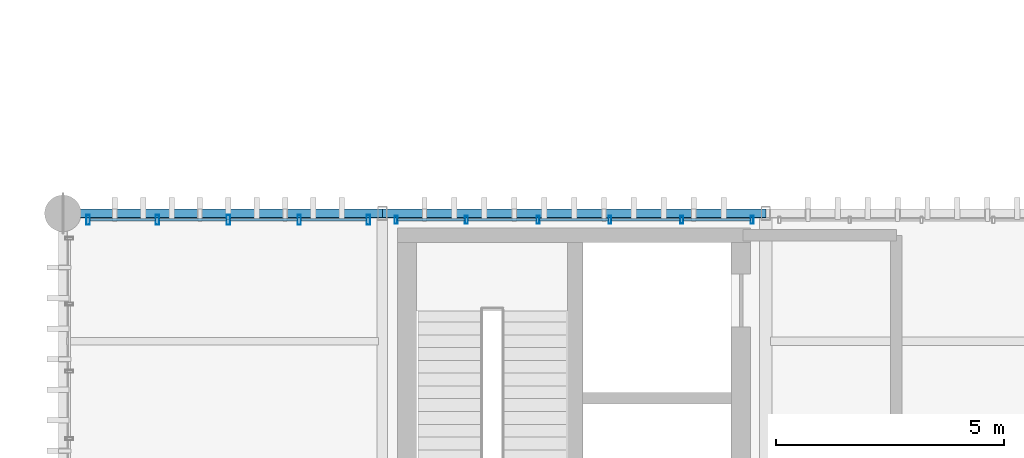
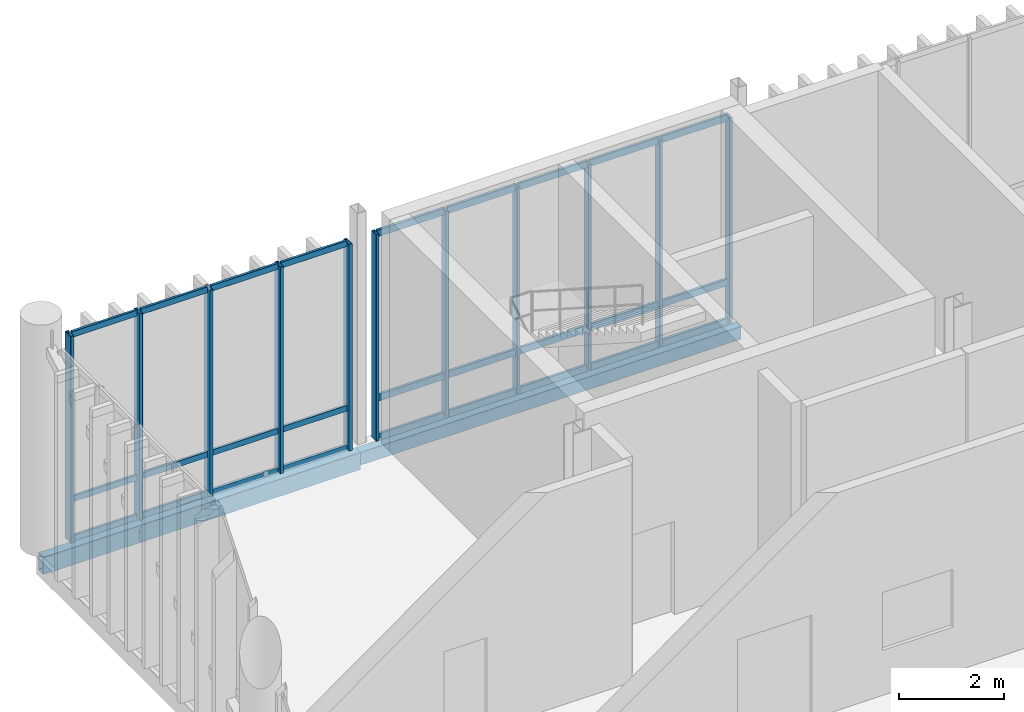
# One storey, part 32 of 128: 38 members, 2 beams, 2 elements without a shape of their own.
"""IFC4 building model written with IfcOpenShell, lengths in metres."""

from ifc_helpers import new_model, si_unit, direction, frame, origin_with_axes, origin_2d_with_axis, place, context, subcontext, project, spatial, hollow_rectangle, extrude, material, material_profile, profile_set, type_object, element, aggregate, save


model = new_model("IFC4")

# Units and contexts
model_context = context("Model", 3, precision=1e-05, world=origin_with_axes(), true_north=direction((0.0, 1.0)))
body_context = subcontext(model_context, "Body", "Model", "MODEL_VIEW")
ifc_project = project(units=[si_unit("LENGTHUNIT", "METRE"), si_unit("AREAUNIT", "SQUARE_METRE"), si_unit("VOLUMEUNIT", "CUBIC_METRE"), si_unit("PLANEANGLEUNIT", "RADIAN"), si_unit("MASSUNIT", "GRAM", prefix="KILO"), si_unit("THERMODYNAMICTEMPERATUREUNIT", "KELVIN")], contexts=[model_context])

# Site, building, storey
site_placement = place(None, origin_with_axes())
site = spatial("IfcSite", under=ifc_project, at=site_placement, CompositionType="ELEMENT")
building_placement = place(site_placement, origin_with_axes())
building = spatial("IfcBuilding", under=site, at=building_placement, Name="Montbau Bow Law Courts", CompositionType="ELEMENT")
storey_placement = place(building_placement, frame((0.0, 0.0, 5.4), z_axis=(0.0, 0.0, 1.0), x_axis=(1.0, 0.0, 0.0)))
storey = spatial("IfcBuildingStorey", under=building, at=storey_placement, Name="L01", CompositionType="ELEMENT", Elevation=5.4)

# Beams
ifc_material_1 = material(Name="Steel CSA G40.21 Grade 350WT (350 MPa)", Category="steel")
ifc_material_profile_1 = material_profile(ifc_material_1, hollow_rectangle(XDim=0.203, YDim=0.406, WallThickness=0.0127, InnerFilletRadius=0.0254, OuterFilletRadius=0.0127, at=origin_2d_with_axis()), Name="HSS406X203X13", Category="Main", Priority=0)
ifc_profile_set_1 = profile_set([ifc_material_profile_1], Name="Steel CSA G40.21 Grade 350WT (350 MPa)")
beam_type_1 = type_object("IfcBeamType", Name="B-SPN-01", PredefinedType="SPANDREL", material=ifc_profile_set_1)
beam_1_placement = place(None, frame((6.8, 54.6, 4.957), z_axis=(1.0, 0.0, 0.0), x_axis=(0.0, 1.0, 0.0)))
element("IfcBeam", 1, at=beam_1_placement, inside=storey, type_object=beam_type_1, Name="SPN-L01-S0529:bm2_0532", PredefinedType="SPANDREL", context=body_context, shape_type="SweptSolid", body=[
    extrude(hollow_rectangle(XDim=0.203, YDim=0.406, WallThickness=0.0127, InnerFilletRadius=0.0254, OuterFilletRadius=0.0127, at=origin_2d_with_axis()), origin_with_axes(), (0.0, 0.0, 1.0), 7.0),
])
ifc_material_profile_2 = material_profile(ifc_material_1, hollow_rectangle(XDim=0.203, YDim=0.305, WallThickness=0.0127, InnerFilletRadius=0.0254, OuterFilletRadius=0.0127, at=origin_2d_with_axis()), Name="HSS305X203X13", Category="Main", Priority=0)
ifc_profile_set_2 = profile_set([ifc_material_profile_2], Name="Steel CSA G40.21 Grade 350WT (350 MPa)")
beam_type_2 = type_object("IfcBeamType", Name="B-SPN-02", PredefinedType="SPANDREL", material=ifc_profile_set_2)
beam_2_placement = place(None, frame((13.8, 54.6, 5.008), z_axis=(1.0, 0.0, 0.0), x_axis=(0.0, 1.0, 0.0)))
element("IfcBeam", 2, at=beam_2_placement, inside=storey, type_object=beam_type_2, Name="SPN-L01-S0530:bm2_0533", PredefinedType="SPANDREL", context=body_context, shape_type="SweptSolid", body=[
    extrude(hollow_rectangle(XDim=0.203, YDim=0.305, WallThickness=0.0127, InnerFilletRadius=0.0254, OuterFilletRadius=0.0127, at=origin_2d_with_axis()), origin_with_axes(), (0.0, 0.0, 1.0), 8.4),
])

# Curtain wall, members
ifc_material_2 = material(Name="Thermally Broken Extruded Aluminium AA 6063-T6", Category="aluminium")
curtain_wall_type = type_object("IfcCurtainWallType", Name="CW-TRC-01", PredefinedType="NOTDEFINED", material=ifc_material_2)
curtain_wall_1_placement = place(None, frame((7.315, 54.46, 5.4), z_axis=(0.0, 0.0, 1.0), x_axis=(1.0, 0.0, 0.0)))
curtain_wall_1 = element("IfcCurtainWall", 3, at=curtain_wall_1_placement, inside=storey, type_object=curtain_wall_type, Name="CW-L01-021:cw_0021", PredefinedType="NOTDEFINED")
ifc_material_profile_3 = material_profile(ifc_material_2, hollow_rectangle(XDim=0.075, YDim=0.22, WallThickness=0.005, InnerFilletRadius=0.01, OuterFilletRadius=0.005, at=origin_2d_with_axis()), Name="CWM-220X75", Category="Main", Priority=0)
ifc_profile_set_3 = profile_set([ifc_material_profile_3], Name="Thermally Broken Extruded Aluminium AA 6063-T6")
member_type_1 = type_object("IfcMemberType", Name="M-MUL-01", PredefinedType="MULLION", material=ifc_profile_set_3)
member_1_placement = place(None, frame((7.352, 54.46, 5.4), z_axis=(0.0, 0.0, 1.0), x_axis=(1.0, 0.0, 0.0)))
member_1 = element("IfcMember", 4, at=member_1_placement, type_object=member_type_1, Name="CW-L01-021-M01:cw_0021_M01", PredefinedType="MULLION", context=body_context, shape_type="SweptSolid", body=[
    extrude(hollow_rectangle(XDim=0.075, YDim=0.22, WallThickness=0.005, InnerFilletRadius=0.01, OuterFilletRadius=0.005, at=origin_2d_with_axis()), origin_with_axes(), (0.0, 0.0, 1.0), 4.82),
])
member_2_placement = place(None, frame((8.869, 54.46, 5.4), z_axis=(0.0, 0.0, 1.0), x_axis=(1.0, 0.0, 0.0)))
member_2 = element("IfcMember", 5, at=member_2_placement, type_object=member_type_1, Name="CW-L01-021-M02:cw_0021_M02", PredefinedType="MULLION", context=body_context, shape_type="SweptSolid", body=[
    extrude(hollow_rectangle(XDim=0.075, YDim=0.22, WallThickness=0.005, InnerFilletRadius=0.01, OuterFilletRadius=0.005, at=origin_2d_with_axis()), origin_with_axes(), (0.0, 0.0, 1.0), 4.82),
])
member_3_placement = place(None, frame((10.424, 54.46, 5.4), z_axis=(0.0, 0.0, 1.0), x_axis=(1.0, 0.0, 0.0)))
member_3 = element("IfcMember", 6, at=member_3_placement, type_object=member_type_1, Name="CW-L01-021-M03:cw_0021_M03", PredefinedType="MULLION", context=body_context, shape_type="SweptSolid", body=[
    extrude(hollow_rectangle(XDim=0.075, YDim=0.22, WallThickness=0.005, InnerFilletRadius=0.01, OuterFilletRadius=0.005, at=origin_2d_with_axis()), origin_with_axes(), (0.0, 0.0, 1.0), 4.82),
])
member_4_placement = place(None, frame((11.978, 54.46, 5.4), z_axis=(0.0, 0.0, 1.0), x_axis=(1.0, 0.0, 0.0)))
member_4 = element("IfcMember", 7, at=member_4_placement, type_object=member_type_1, Name="CW-L01-021-M04:cw_0021_M04", PredefinedType="MULLION", context=body_context, shape_type="SweptSolid", body=[
    extrude(hollow_rectangle(XDim=0.075, YDim=0.22, WallThickness=0.005, InnerFilletRadius=0.01, OuterFilletRadius=0.005, at=origin_2d_with_axis()), origin_with_axes(), (0.0, 0.0, 1.0), 4.82),
])
member_5_placement = place(None, frame((13.495, 54.46, 5.4), z_axis=(0.0, 0.0, 1.0), x_axis=(1.0, 0.0, 0.0)))
member_5 = element("IfcMember", 8, at=member_5_placement, type_object=member_type_1, Name="CW-L01-021-M05:cw_0021_M05", PredefinedType="MULLION", context=body_context, shape_type="SweptSolid", body=[
    extrude(hollow_rectangle(XDim=0.075, YDim=0.22, WallThickness=0.005, InnerFilletRadius=0.01, OuterFilletRadius=0.005, at=origin_2d_with_axis()), origin_with_axes(), (0.0, 0.0, 1.0), 4.82),
])

curtain_wall_2_placement = place(None, frame((14.068, 54.46, 5.4), z_axis=(0.0, 0.0, 1.0), x_axis=(1.0, 0.0, 0.0)))
curtain_wall_2 = element("IfcCurtainWall", 9, at=curtain_wall_2_placement, inside=storey, type_object=curtain_wall_type, Name="CW-L01-022:cw_0022", PredefinedType="NOTDEFINED")
ifc_material_profile_4 = material_profile(ifc_material_2, hollow_rectangle(XDim=0.065, YDim=0.18, WallThickness=0.005, InnerFilletRadius=0.01, OuterFilletRadius=0.005, at=origin_2d_with_axis()), Name="CWM-180X65", Category="Main", Priority=0)
ifc_profile_set_4 = profile_set([ifc_material_profile_4], Name="Thermally Broken Extruded Aluminium AA 6063-T6")
member_type_2 = type_object("IfcMemberType", Name="M-MUL-02", PredefinedType="MULLION", material=ifc_profile_set_4)
member_6_placement = place(None, frame((14.101, 54.46, 5.4), z_axis=(0.0, 0.0, 1.0), x_axis=(1.0, 0.0, 0.0)))
member_6 = element("IfcMember", 10, at=member_6_placement, type_object=member_type_2, Name="CW-L01-022-M01:cw_0022_M01", PredefinedType="MULLION", context=body_context, shape_type="SweptSolid", body=[
    extrude(hollow_rectangle(XDim=0.065, YDim=0.18, WallThickness=0.005, InnerFilletRadius=0.01, OuterFilletRadius=0.005, at=origin_2d_with_axis()), origin_with_axes(), (0.0, 0.0, 1.0), 4.82),
])
member_7_placement = place(None, frame((15.641, 54.46, 5.4), z_axis=(0.0, 0.0, 1.0), x_axis=(1.0, 0.0, 0.0)))
member_7 = element("IfcMember", 11, at=member_7_placement, type_object=member_type_2, Name="CW-L01-022-M02:cw_0022_M02", PredefinedType="MULLION", context=body_context, shape_type="SweptSolid", body=[
    extrude(hollow_rectangle(XDim=0.065, YDim=0.18, WallThickness=0.005, InnerFilletRadius=0.01, OuterFilletRadius=0.005, at=origin_2d_with_axis()), origin_with_axes(), (0.0, 0.0, 1.0), 4.82),
])
member_8_placement = place(None, frame((17.214, 54.46, 5.4), z_axis=(0.0, 0.0, 1.0), x_axis=(1.0, 0.0, 0.0)))
member_8 = element("IfcMember", 12, at=member_8_placement, type_object=member_type_2, Name="CW-L01-022-M03:cw_0022_M03", PredefinedType="MULLION", context=body_context, shape_type="SweptSolid", body=[
    extrude(hollow_rectangle(XDim=0.065, YDim=0.18, WallThickness=0.005, InnerFilletRadius=0.01, OuterFilletRadius=0.005, at=origin_2d_with_axis()), origin_with_axes(), (0.0, 0.0, 1.0), 4.82),
])
member_9_placement = place(None, frame((18.787, 54.46, 5.4), z_axis=(0.0, 0.0, 1.0), x_axis=(1.0, 0.0, 0.0)))
member_9 = element("IfcMember", 13, at=member_9_placement, type_object=member_type_2, Name="CW-L01-022-M04:cw_0022_M04", PredefinedType="MULLION", context=body_context, shape_type="SweptSolid", body=[
    extrude(hollow_rectangle(XDim=0.065, YDim=0.18, WallThickness=0.005, InnerFilletRadius=0.01, OuterFilletRadius=0.005, at=origin_2d_with_axis()), origin_with_axes(), (0.0, 0.0, 1.0), 4.82),
])
member_10_placement = place(None, frame((20.36, 54.46, 5.4), z_axis=(0.0, 0.0, 1.0), x_axis=(1.0, 0.0, 0.0)))
member_10 = element("IfcMember", 14, at=member_10_placement, type_object=member_type_2, Name="CW-L01-022-M05:cw_0022_M05", PredefinedType="MULLION", context=body_context, shape_type="SweptSolid", body=[
    extrude(hollow_rectangle(XDim=0.065, YDim=0.18, WallThickness=0.005, InnerFilletRadius=0.01, OuterFilletRadius=0.005, at=origin_2d_with_axis()), origin_with_axes(), (0.0, 0.0, 1.0), 4.82),
])
member_11_placement = place(None, frame((21.901, 54.46, 5.4), z_axis=(0.0, 0.0, 1.0), x_axis=(1.0, 0.0, 0.0)))
member_11 = element("IfcMember", 15, at=member_11_placement, type_object=member_type_2, Name="CW-L01-022-M06:cw_0022_M06", PredefinedType="MULLION", context=body_context, shape_type="SweptSolid", body=[
    extrude(hollow_rectangle(XDim=0.065, YDim=0.18, WallThickness=0.005, InnerFilletRadius=0.01, OuterFilletRadius=0.005, at=origin_2d_with_axis()), origin_with_axes(), (0.0, 0.0, 1.0), 4.82),
])
ifc_material_profile_5 = material_profile(ifc_material_2, hollow_rectangle(XDim=0.06, YDim=0.16, WallThickness=0.004, InnerFilletRadius=0.008, OuterFilletRadius=0.004, at=origin_2d_with_axis()), Name="CWT-160X60", Category="Main", Priority=0)
ifc_profile_set_5 = profile_set([ifc_material_profile_5], Name="Thermally Broken Extruded Aluminium AA 6063-T6")
member_type_3 = type_object("IfcMemberType", Name="M-TRN-01", PredefinedType="USERDEFINED", material=ifc_profile_set_5)
member_12_placement = place(None, frame((14.136, 54.46, 5.43), z_axis=(1.0, 0.0, 0.0), x_axis=(0.0, 1.0, 0.0)))
member_12 = element("IfcMember", 16, at=member_12_placement, type_object=member_type_3, Name="CW-L01-022-T01-1:cw_0022_T01_1", ObjectType="TRANSOM", PredefinedType="USERDEFINED", context=body_context, shape_type="SweptSolid", body=[
    extrude(hollow_rectangle(XDim=0.06, YDim=0.16, WallThickness=0.004, InnerFilletRadius=0.008, OuterFilletRadius=0.004, at=origin_2d_with_axis()), origin_with_axes(), (0.0, 0.0, 1.0), 1.47),
])
member_13_placement = place(None, frame((14.136, 54.46, 6.35), z_axis=(1.0, 0.0, 0.0), x_axis=(0.0, 1.0, 0.0)))
member_13 = element("IfcMember", 17, at=member_13_placement, type_object=member_type_3, Name="CW-L01-022-T01-2:cw_0022_T01_2", ObjectType="TRANSOM", PredefinedType="USERDEFINED", context=body_context, shape_type="SweptSolid", body=[
    extrude(hollow_rectangle(XDim=0.06, YDim=0.16, WallThickness=0.004, InnerFilletRadius=0.008, OuterFilletRadius=0.004, at=origin_2d_with_axis()), origin_with_axes(), (0.0, 0.0, 1.0), 1.47),
])
member_14_placement = place(None, frame((14.136, 54.46, 10.19), z_axis=(1.0, 0.0, 0.0), x_axis=(0.0, 1.0, 0.0)))
member_14 = element("IfcMember", 18, at=member_14_placement, type_object=member_type_3, Name="CW-L01-022-T01-3:cw_0022_T01_3", ObjectType="TRANSOM", PredefinedType="USERDEFINED", context=body_context, shape_type="SweptSolid", body=[
    extrude(hollow_rectangle(XDim=0.06, YDim=0.16, WallThickness=0.004, InnerFilletRadius=0.008, OuterFilletRadius=0.004, at=origin_2d_with_axis()), origin_with_axes(), (0.0, 0.0, 1.0), 1.47),
])
member_15_placement = place(None, frame((15.675, 54.46, 5.43), z_axis=(1.0, 0.0, 0.0), x_axis=(0.0, 1.0, 0.0)))
member_15 = element("IfcMember", 19, at=member_15_placement, type_object=member_type_3, Name="CW-L01-022-T02-1:cw_0022_T02_1", ObjectType="TRANSOM", PredefinedType="USERDEFINED", context=body_context, shape_type="SweptSolid", body=[
    extrude(hollow_rectangle(XDim=0.06, YDim=0.16, WallThickness=0.004, InnerFilletRadius=0.008, OuterFilletRadius=0.004, at=origin_2d_with_axis()), origin_with_axes(), (0.0, 0.0, 1.0), 1.504),
])
member_16_placement = place(None, frame((15.675, 54.46, 6.35), z_axis=(1.0, 0.0, 0.0), x_axis=(0.0, 1.0, 0.0)))
member_16 = element("IfcMember", 20, at=member_16_placement, type_object=member_type_3, Name="CW-L01-022-T02-2:cw_0022_T02_2", ObjectType="TRANSOM", PredefinedType="USERDEFINED", context=body_context, shape_type="SweptSolid", body=[
    extrude(hollow_rectangle(XDim=0.06, YDim=0.16, WallThickness=0.004, InnerFilletRadius=0.008, OuterFilletRadius=0.004, at=origin_2d_with_axis()), origin_with_axes(), (0.0, 0.0, 1.0), 1.504),
])
member_17_placement = place(None, frame((15.675, 54.46, 10.19), z_axis=(1.0, 0.0, 0.0), x_axis=(0.0, 1.0, 0.0)))
member_17 = element("IfcMember", 21, at=member_17_placement, type_object=member_type_3, Name="CW-L01-022-T02-3:cw_0022_T02_3", ObjectType="TRANSOM", PredefinedType="USERDEFINED", context=body_context, shape_type="SweptSolid", body=[
    extrude(hollow_rectangle(XDim=0.06, YDim=0.16, WallThickness=0.004, InnerFilletRadius=0.008, OuterFilletRadius=0.004, at=origin_2d_with_axis()), origin_with_axes(), (0.0, 0.0, 1.0), 1.504),
])
member_18_placement = place(None, frame((17.248, 54.46, 5.43), z_axis=(1.0, 0.0, 0.0), x_axis=(0.0, 1.0, 0.0)))
member_18 = element("IfcMember", 22, at=member_18_placement, type_object=member_type_3, Name="CW-L01-022-T03-1:cw_0022_T03_1", ObjectType="TRANSOM", PredefinedType="USERDEFINED", context=body_context, shape_type="SweptSolid", body=[
    extrude(hollow_rectangle(XDim=0.06, YDim=0.16, WallThickness=0.004, InnerFilletRadius=0.008, OuterFilletRadius=0.004, at=origin_2d_with_axis()), origin_with_axes(), (0.0, 0.0, 1.0), 1.505),
])
member_19_placement = place(None, frame((17.248, 54.46, 6.35), z_axis=(1.0, 0.0, 0.0), x_axis=(0.0, 1.0, 0.0)))
member_19 = element("IfcMember", 23, at=member_19_placement, type_object=member_type_3, Name="CW-L01-022-T03-2:cw_0022_T03_2", ObjectType="TRANSOM", PredefinedType="USERDEFINED", context=body_context, shape_type="SweptSolid", body=[
    extrude(hollow_rectangle(XDim=0.06, YDim=0.16, WallThickness=0.004, InnerFilletRadius=0.008, OuterFilletRadius=0.004, at=origin_2d_with_axis()), origin_with_axes(), (0.0, 0.0, 1.0), 1.505),
])
member_20_placement = place(None, frame((17.248, 54.46, 10.19), z_axis=(1.0, 0.0, 0.0), x_axis=(0.0, 1.0, 0.0)))
member_20 = element("IfcMember", 24, at=member_20_placement, type_object=member_type_3, Name="CW-L01-022-T03-3:cw_0022_T03_3", ObjectType="TRANSOM", PredefinedType="USERDEFINED", context=body_context, shape_type="SweptSolid", body=[
    extrude(hollow_rectangle(XDim=0.06, YDim=0.16, WallThickness=0.004, InnerFilletRadius=0.008, OuterFilletRadius=0.004, at=origin_2d_with_axis()), origin_with_axes(), (0.0, 0.0, 1.0), 1.505),
])
member_21_placement = place(None, frame((18.821, 54.46, 5.43), z_axis=(1.0, 0.0, 0.0), x_axis=(0.0, 1.0, 0.0)))
member_21 = element("IfcMember", 25, at=member_21_placement, type_object=member_type_3, Name="CW-L01-022-T04-1:cw_0022_T04_1", ObjectType="TRANSOM", PredefinedType="USERDEFINED", context=body_context, shape_type="SweptSolid", body=[
    extrude(hollow_rectangle(XDim=0.06, YDim=0.16, WallThickness=0.004, InnerFilletRadius=0.008, OuterFilletRadius=0.004, at=origin_2d_with_axis()), origin_with_axes(), (0.0, 0.0, 1.0), 1.505),
])
member_22_placement = place(None, frame((18.821, 54.46, 6.35), z_axis=(1.0, 0.0, 0.0), x_axis=(0.0, 1.0, 0.0)))
member_22 = element("IfcMember", 26, at=member_22_placement, type_object=member_type_3, Name="CW-L01-022-T04-2:cw_0022_T04_2", ObjectType="TRANSOM", PredefinedType="USERDEFINED", context=body_context, shape_type="SweptSolid", body=[
    extrude(hollow_rectangle(XDim=0.06, YDim=0.16, WallThickness=0.004, InnerFilletRadius=0.008, OuterFilletRadius=0.004, at=origin_2d_with_axis()), origin_with_axes(), (0.0, 0.0, 1.0), 1.505),
])
member_23_placement = place(None, frame((18.821, 54.46, 10.19), z_axis=(1.0, 0.0, 0.0), x_axis=(0.0, 1.0, 0.0)))
member_23 = element("IfcMember", 27, at=member_23_placement, type_object=member_type_3, Name="CW-L01-022-T04-3:cw_0022_T04_3", ObjectType="TRANSOM", PredefinedType="USERDEFINED", context=body_context, shape_type="SweptSolid", body=[
    extrude(hollow_rectangle(XDim=0.06, YDim=0.16, WallThickness=0.004, InnerFilletRadius=0.008, OuterFilletRadius=0.004, at=origin_2d_with_axis()), origin_with_axes(), (0.0, 0.0, 1.0), 1.505),
])
member_24_placement = place(None, frame((20.394, 54.46, 5.43), z_axis=(1.0, 0.0, 0.0), x_axis=(0.0, 1.0, 0.0)))
member_24 = element("IfcMember", 28, at=member_24_placement, type_object=member_type_3, Name="CW-L01-022-T05-1:cw_0022_T05_1", ObjectType="TRANSOM", PredefinedType="USERDEFINED", context=body_context, shape_type="SweptSolid", body=[
    extrude(hollow_rectangle(XDim=0.06, YDim=0.16, WallThickness=0.004, InnerFilletRadius=0.008, OuterFilletRadius=0.004, at=origin_2d_with_axis()), origin_with_axes(), (0.0, 0.0, 1.0), 1.473),
])
member_25_placement = place(None, frame((20.394, 54.46, 6.35), z_axis=(1.0, 0.0, 0.0), x_axis=(0.0, 1.0, 0.0)))
member_25 = element("IfcMember", 29, at=member_25_placement, type_object=member_type_3, Name="CW-L01-022-T05-2:cw_0022_T05_2", ObjectType="TRANSOM", PredefinedType="USERDEFINED", context=body_context, shape_type="SweptSolid", body=[
    extrude(hollow_rectangle(XDim=0.06, YDim=0.16, WallThickness=0.004, InnerFilletRadius=0.008, OuterFilletRadius=0.004, at=origin_2d_with_axis()), origin_with_axes(), (0.0, 0.0, 1.0), 1.473),
])
member_26_placement = place(None, frame((20.394, 54.46, 10.19), z_axis=(1.0, 0.0, 0.0), x_axis=(0.0, 1.0, 0.0)))
member_26 = element("IfcMember", 30, at=member_26_placement, type_object=member_type_3, Name="CW-L01-022-T05-3:cw_0022_T05_3", ObjectType="TRANSOM", PredefinedType="USERDEFINED", context=body_context, shape_type="SweptSolid", body=[
    extrude(hollow_rectangle(XDim=0.06, YDim=0.16, WallThickness=0.004, InnerFilletRadius=0.008, OuterFilletRadius=0.004, at=origin_2d_with_axis()), origin_with_axes(), (0.0, 0.0, 1.0), 1.473),
])
aggregate(curtain_wall_2, [member_6, member_7, member_8, member_9, member_10, member_11, member_12, member_13, member_14, member_15, member_16, member_17, member_18, member_19, member_20, member_21, member_22, member_23, member_24, member_25, member_26])

# Member
ifc_material_profile_6 = material_profile(ifc_material_2, hollow_rectangle(XDim=0.055, YDim=0.14, WallThickness=0.004, InnerFilletRadius=0.008, OuterFilletRadius=0.004, at=origin_2d_with_axis()), Name="CWT-140X55", Category="Main", Priority=0)
ifc_profile_set_6 = profile_set([ifc_material_profile_6], Name="Thermally Broken Extruded Aluminium AA 6063-T6")
member_type_4 = type_object("IfcMemberType", Name="M-TRN-02", PredefinedType="USERDEFINED", material=ifc_profile_set_6)
member_27_placement = place(None, frame((7.391, 54.46, 5.428), z_axis=(1.0, 0.0, 0.0), x_axis=(0.0, 1.0, 0.0)))
member_27 = element("IfcMember", 31, at=member_27_placement, type_object=member_type_4, Name="CW-L01-021-T01-1:cw_0021_T01_1", ObjectType="TRANSOM", PredefinedType="USERDEFINED", context=body_context, shape_type="SweptSolid", body=[
    extrude(hollow_rectangle(XDim=0.055, YDim=0.14, WallThickness=0.004, InnerFilletRadius=0.008, OuterFilletRadius=0.004, at=origin_2d_with_axis()), origin_with_axes(), (0.0, 0.0, 1.0), 1.438),
])

member_28_placement = place(None, frame((7.391, 54.46, 6.35), z_axis=(1.0, 0.0, 0.0), x_axis=(0.0, 1.0, 0.0)))
member_28 = element("IfcMember", 32, at=member_28_placement, type_object=member_type_4, Name="CW-L01-021-T01-2:cw_0021_T01_2", ObjectType="TRANSOM", PredefinedType="USERDEFINED", context=body_context, shape_type="SweptSolid", body=[
    extrude(hollow_rectangle(XDim=0.055, YDim=0.14, WallThickness=0.004, InnerFilletRadius=0.008, OuterFilletRadius=0.004, at=origin_2d_with_axis()), origin_with_axes(), (0.0, 0.0, 1.0), 1.438),
])

member_29_placement = place(None, frame((7.391, 54.46, 10.193), z_axis=(1.0, 0.0, 0.0), x_axis=(0.0, 1.0, 0.0)))
member_29 = element("IfcMember", 33, at=member_29_placement, type_object=member_type_4, Name="CW-L01-021-T01-3:cw_0021_T01_3", ObjectType="TRANSOM", PredefinedType="USERDEFINED", context=body_context, shape_type="SweptSolid", body=[
    extrude(hollow_rectangle(XDim=0.055, YDim=0.14, WallThickness=0.004, InnerFilletRadius=0.008, OuterFilletRadius=0.004, at=origin_2d_with_axis()), origin_with_axes(), (0.0, 0.0, 1.0), 1.438),
])

member_30_placement = place(None, frame((8.909, 54.46, 5.428), z_axis=(1.0, 0.0, 0.0), x_axis=(0.0, 1.0, 0.0)))
member_30 = element("IfcMember", 34, at=member_30_placement, type_object=member_type_4, Name="CW-L01-021-T02-1:cw_0021_T02_1", ObjectType="TRANSOM", PredefinedType="USERDEFINED", context=body_context, shape_type="SweptSolid", body=[
    extrude(hollow_rectangle(XDim=0.055, YDim=0.14, WallThickness=0.004, InnerFilletRadius=0.008, OuterFilletRadius=0.004, at=origin_2d_with_axis()), origin_with_axes(), (0.0, 0.0, 1.0), 1.476),
])

member_31_placement = place(None, frame((8.909, 54.46, 6.35), z_axis=(1.0, 0.0, 0.0), x_axis=(0.0, 1.0, 0.0)))
member_31 = element("IfcMember", 35, at=member_31_placement, type_object=member_type_4, Name="CW-L01-021-T02-2:cw_0021_T02_2", ObjectType="TRANSOM", PredefinedType="USERDEFINED", context=body_context, shape_type="SweptSolid", body=[
    extrude(hollow_rectangle(XDim=0.055, YDim=0.14, WallThickness=0.004, InnerFilletRadius=0.008, OuterFilletRadius=0.004, at=origin_2d_with_axis()), origin_with_axes(), (0.0, 0.0, 1.0), 1.476),
])

member_32_placement = place(None, frame((8.909, 54.46, 10.193), z_axis=(1.0, 0.0, 0.0), x_axis=(0.0, 1.0, 0.0)))
member_32 = element("IfcMember", 36, at=member_32_placement, type_object=member_type_4, Name="CW-L01-021-T02-3:cw_0021_T02_3", ObjectType="TRANSOM", PredefinedType="USERDEFINED", context=body_context, shape_type="SweptSolid", body=[
    extrude(hollow_rectangle(XDim=0.055, YDim=0.14, WallThickness=0.004, InnerFilletRadius=0.008, OuterFilletRadius=0.004, at=origin_2d_with_axis()), origin_with_axes(), (0.0, 0.0, 1.0), 1.476),
])

member_33_placement = place(None, frame((10.463, 54.46, 5.428), z_axis=(1.0, 0.0, 0.0), x_axis=(0.0, 1.0, 0.0)))
member_33 = element("IfcMember", 37, at=member_33_placement, type_object=member_type_4, Name="CW-L01-021-T03-1:cw_0021_T03_1", ObjectType="TRANSOM", PredefinedType="USERDEFINED", context=body_context, shape_type="SweptSolid", body=[
    extrude(hollow_rectangle(XDim=0.055, YDim=0.14, WallThickness=0.004, InnerFilletRadius=0.008, OuterFilletRadius=0.004, at=origin_2d_with_axis()), origin_with_axes(), (0.0, 0.0, 1.0), 1.476),
])

member_34_placement = place(None, frame((10.463, 54.46, 6.35), z_axis=(1.0, 0.0, 0.0), x_axis=(0.0, 1.0, 0.0)))
member_34 = element("IfcMember", 38, at=member_34_placement, type_object=member_type_4, Name="CW-L01-021-T03-2:cw_0021_T03_2", ObjectType="TRANSOM", PredefinedType="USERDEFINED", context=body_context, shape_type="SweptSolid", body=[
    extrude(hollow_rectangle(XDim=0.055, YDim=0.14, WallThickness=0.004, InnerFilletRadius=0.008, OuterFilletRadius=0.004, at=origin_2d_with_axis()), origin_with_axes(), (0.0, 0.0, 1.0), 1.476),
])

member_35_placement = place(None, frame((10.463, 54.46, 10.193), z_axis=(1.0, 0.0, 0.0), x_axis=(0.0, 1.0, 0.0)))
member_35 = element("IfcMember", 39, at=member_35_placement, type_object=member_type_4, Name="CW-L01-021-T03-3:cw_0021_T03_3", ObjectType="TRANSOM", PredefinedType="USERDEFINED", context=body_context, shape_type="SweptSolid", body=[
    extrude(hollow_rectangle(XDim=0.055, YDim=0.14, WallThickness=0.004, InnerFilletRadius=0.008, OuterFilletRadius=0.004, at=origin_2d_with_axis()), origin_with_axes(), (0.0, 0.0, 1.0), 1.476),
])

member_36_placement = place(None, frame((12.017, 54.46, 5.428), z_axis=(1.0, 0.0, 0.0), x_axis=(0.0, 1.0, 0.0)))
member_36 = element("IfcMember", 40, at=member_36_placement, type_object=member_type_4, Name="CW-L01-021-T04-1:cw_0021_T04_1", ObjectType="TRANSOM", PredefinedType="USERDEFINED", context=body_context, shape_type="SweptSolid", body=[
    extrude(hollow_rectangle(XDim=0.055, YDim=0.14, WallThickness=0.004, InnerFilletRadius=0.008, OuterFilletRadius=0.004, at=origin_2d_with_axis()), origin_with_axes(), (0.0, 0.0, 1.0), 1.439),
])

member_37_placement = place(None, frame((12.017, 54.46, 6.35), z_axis=(1.0, 0.0, 0.0), x_axis=(0.0, 1.0, 0.0)))
member_37 = element("IfcMember", 41, at=member_37_placement, type_object=member_type_4, Name="CW-L01-021-T04-2:cw_0021_T04_2", ObjectType="TRANSOM", PredefinedType="USERDEFINED", context=body_context, shape_type="SweptSolid", body=[
    extrude(hollow_rectangle(XDim=0.055, YDim=0.14, WallThickness=0.004, InnerFilletRadius=0.008, OuterFilletRadius=0.004, at=origin_2d_with_axis()), origin_with_axes(), (0.0, 0.0, 1.0), 1.439),
])

member_38_placement = place(None, frame((12.017, 54.46, 10.193), z_axis=(1.0, 0.0, 0.0), x_axis=(0.0, 1.0, 0.0)))
member_38 = element("IfcMember", 42, at=member_38_placement, type_object=member_type_4, Name="CW-L01-021-T04-3:cw_0021_T04_3", ObjectType="TRANSOM", PredefinedType="USERDEFINED", context=body_context, shape_type="SweptSolid", body=[
    extrude(hollow_rectangle(XDim=0.055, YDim=0.14, WallThickness=0.004, InnerFilletRadius=0.008, OuterFilletRadius=0.004, at=origin_2d_with_axis()), origin_with_axes(), (0.0, 0.0, 1.0), 1.439),
])

aggregate(curtain_wall_1, [member_1, member_2, member_3, member_4, member_5, member_27, member_28, member_29, member_30, member_31, member_32, member_33, member_34, member_35, member_36, member_37, member_38])

save(model, "model.ifc")
